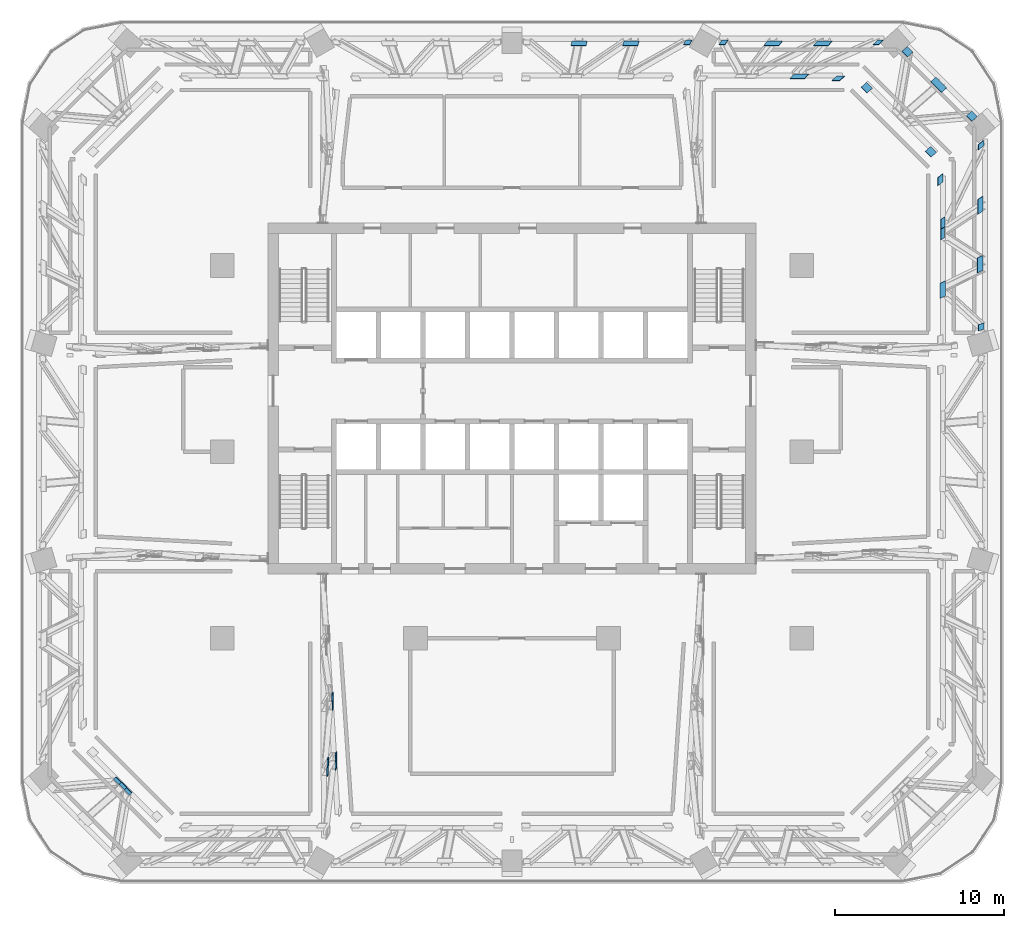
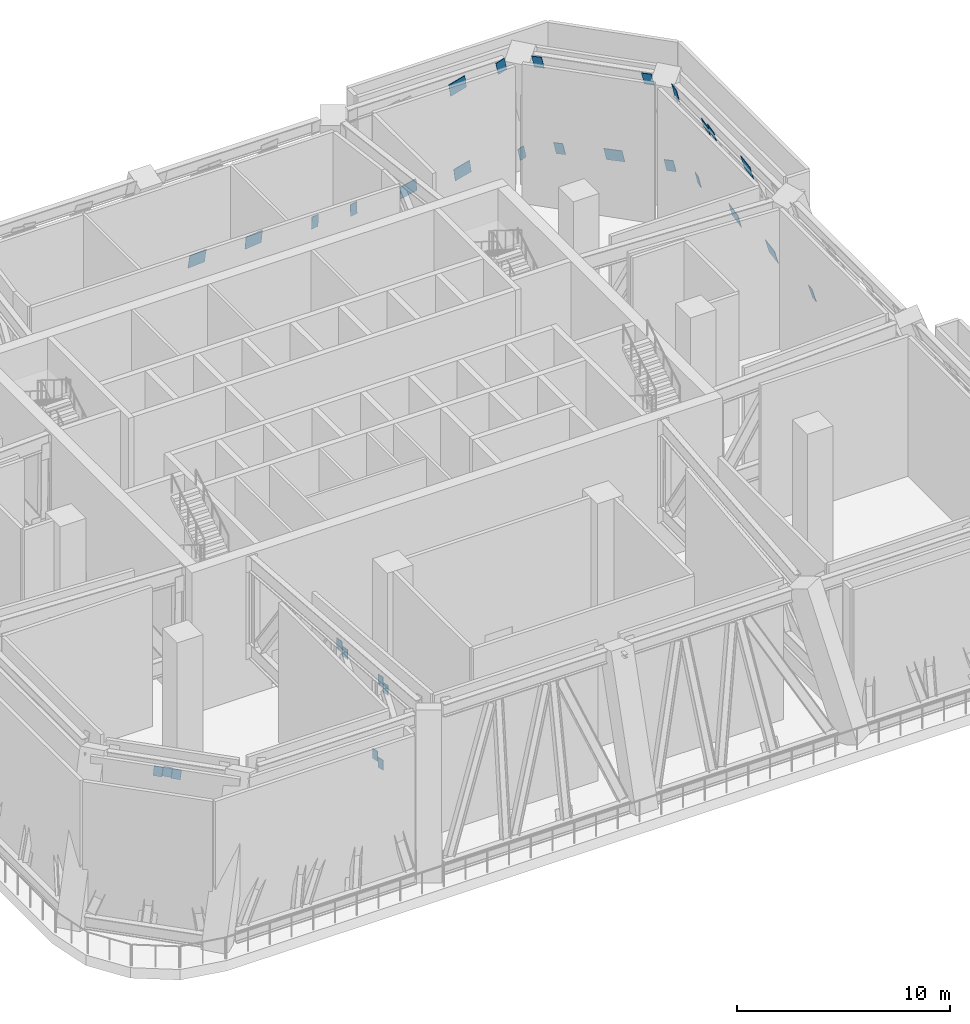
# One storey, part 13 of 24: 31 discrete accessories.
"""IFC4 building model written with IfcOpenShell, lengths in metres."""

from ifc_helpers import new_model, si_unit, direction, frame, origin, origin_2d, place, context, subcontext, project, spatial, rectangle, extrude, material, layer, layer_set, type_object, element, save


model = new_model("IFC4")

# Units and contexts
model_context = context("Model", 3, precision=1e-05, world=origin(), true_north=direction((0.0, 1.0)))
body_context = subcontext(model_context, "Body", "Model", "MODEL_VIEW")
ifc_project = project(units=[si_unit("LENGTHUNIT", "METRE"), si_unit("AREAUNIT", "SQUARE_METRE"), si_unit("VOLUMEUNIT", "CUBIC_METRE"), si_unit("PLANEANGLEUNIT", "RADIAN"), si_unit("MASSUNIT", "GRAM", prefix="KILO")], contexts=[model_context])

# Site, building, storey
site_placement = place(None, origin())
site = spatial("IfcSite", under=ifc_project, at=site_placement, CompositionType="ELEMENT")
building_placement = place(site_placement, origin())
building = spatial("IfcBuilding", under=site, at=building_placement, Name="Mopane Tessera Tower", CompositionType="ELEMENT")
storey_placement = place(building_placement, frame((0.0, 0.0, 148.60009765625)))
storey = spatial("IfcBuildingStorey", under=building, at=storey_placement, Name="L30", CompositionType="ELEMENT", Elevation=148.60009765625)

# Discrete accessories
ifc_material = material(Name="Structural steel S460", Category="steel")
ifc_layer = layer(ifc_material, 0.030029296875)
ifc_layer_set = layer_set([ifc_layer], Name="Structural steel S460")
discrete_accessory_type = type_object("IfcDiscreteAccessoryType", Name="Truss node plate 30 mm", PredefinedType="BRACKET", material=ifc_layer_set)
discrete_accessory_1_placement = place(storey_placement, frame((-10.61669921875, -14.520751953125, 6.842529296875), z_axis=(0.079880406721, 0.140764863064, 0.986815268401), x_axis=(0.996783717559, -0.004894495338, -0.079989151297)))
element("IfcDiscreteAccessory", 1, at=discrete_accessory_1_placement, inside=storey, type_object=discrete_accessory_type, Name="Truss node plate s ot L30 S1 9", PredefinedType="BRACKET", context=body_context, shape_type="SweptSolid", body=[
    extrude(rectangle(XDim=0.030029296875, YDim=0.49462890625, at=origin_2d()), origin(), (0.0, 0.0, 1.0), 0.501220703125),
])
discrete_accessory_2_placement = place(storey_placement, frame((-10.60791015625, -15.013671875, 6.663330078125), z_axis=(0.085575129762, 0.149270254756, 0.985086436924), x_axis=(0.996329516286, -0.010741104273, -0.084924223028)))
element("IfcDiscreteAccessory", 2, at=discrete_accessory_2_placement, inside=storey, type_object=discrete_accessory_type, Name="Truss node plate s ot L30 S1 10", PredefinedType="BRACKET", context=body_context, shape_type="SweptSolid", body=[
    extrude(rectangle(XDim=0.030029296875, YDim=0.49462890625, at=origin_2d()), origin(), (0.0, 0.0, 1.0), 0.502197265625),
])
discrete_accessory_3_placement = place(storey_placement, frame((-10.905517578125, -18.383544921875, 2.94189453125), z_axis=(0.112474616524, 0.197551570048, 0.973818688365), x_axis=(0.993641929576, -0.017412294739, -0.111231864947)))
element("IfcDiscreteAccessory", 3, at=discrete_accessory_3_placement, inside=storey, type_object=discrete_accessory_type, Name="Truss node plate s ot L30 S1 11", PredefinedType="BRACKET", context=body_context, shape_type="SweptSolid", body=[
    extrude(rectangle(XDim=0.030029296875, YDim=0.49462890625, at=origin_2d()), origin(), (0.0, 0.0, 1.0), 0.5078125),
])
discrete_accessory_4_placement = place(storey_placement, frame((-10.9228515625, -18.922607421875, 2.7626953125), z_axis=(0.11754025734, 0.205815389383, 0.971506208625), x_axis=(0.993061140405, -0.020692884635, -0.115764312045)))
element("IfcDiscreteAccessory", 4, at=discrete_accessory_4_placement, inside=storey, type_object=discrete_accessory_type, Name="Truss node plate s ot L30 S1 12", PredefinedType="BRACKET", context=body_context, shape_type="SweptSolid", body=[
    extrude(rectangle(XDim=0.030029296875, YDim=0.49462890625, at=origin_2d()), origin(), (0.0, 0.0, 1.0), 0.5087890625),
])
discrete_accessory_5_placement = place(storey_placement, frame((-10.4296875, -18.057373046875, 6.8486328125), z_axis=(0.117501009748, 0.205995494077, 0.971472783524), x_axis=(0.993063684384, -0.020190334038, -0.115831209821)))
element("IfcDiscreteAccessory", 5, at=discrete_accessory_5_placement, inside=storey, type_object=discrete_accessory_type, Name="Truss node plate s ot L30 S1 13", PredefinedType="BRACKET", context=body_context, shape_type="SweptSolid", body=[
    extrude(rectangle(XDim=0.030029296875, YDim=0.482421875, at=origin_2d()), origin(), (0.0, 0.0, 1.0), 0.49658203125),
])
discrete_accessory_6_placement = place(storey_placement, frame((-10.429931640625, -18.554443359375, 6.65478515625), z_axis=(0.1216479279, 0.213864905501, 0.96925929649), x_axis=(0.992558776145, -0.020925505844, -0.119954987822)))
element("IfcDiscreteAccessory", 6, at=discrete_accessory_6_placement, inside=storey, type_object=discrete_accessory_type, Name="Truss node plate s ot L30 S1 14", PredefinedType="BRACKET", context=body_context, shape_type="SweptSolid", body=[
    extrude(rectangle(XDim=0.030029296875, YDim=0.482421875, at=origin_2d()), origin(), (0.0, 0.0, 1.0), 0.497802734375),
])
discrete_accessory_7_placement = place(storey_placement, frame((27.841552734375, 7.431640625, 0.12255859375), z_axis=(-0.319540928292, -0.107024499564, 0.94150908208), x_axis=(-0.947572473766, 0.036042717955, -0.317501699907)))
element("IfcDiscreteAccessory", 7, at=discrete_accessory_7_placement, inside=storey, type_object=discrete_accessory_type, Name="Truss node plate s bt L30 E2-E3 0", PredefinedType="BRACKET", context=body_context, shape_type="SweptSolid", body=[
    extrude(rectangle(XDim=0.030029296875, YDim=0.3642578125, at=origin_2d()), origin(), (0.0, 0.0, 1.0), 0.955810546875),
])
discrete_accessory_8_placement = place(storey_placement, frame((25.576416015625, 9.65185546875, 6.79833984375), z_axis=(-0.317561452617, -0.153830727646, 0.93567667014), x_axis=(-0.948237693548, 0.051498010774, -0.313357992431)))
element("IfcDiscreteAccessory", 8, at=discrete_accessory_8_placement, inside=storey, type_object=discrete_accessory_type, Name="Truss node plate s bt L30 E2-E3 2", PredefinedType="BRACKET", context=body_context, shape_type="SweptSolid", body=[
    extrude(rectangle(XDim=0.030029296875, YDim=0.89990234375, at=origin_2d()), origin(), (0.0, 0.0, 1.0), 0.961669921875),
])
discrete_accessory_9_placement = place(storey_placement, frame((27.781982421875, 11.15625, 0.297607421875), z_axis=(-0.317170330927, -0.159979599373, 0.934777785874), x_axis=(-0.948368560453, 0.053260095985, -0.312666652715)))
element("IfcDiscreteAccessory", 9, at=discrete_accessory_9_placement, inside=storey, type_object=discrete_accessory_type, Name="Truss node plate s bt L30 E2-E3 3", PredefinedType="BRACKET", context=body_context, shape_type="SweptSolid", body=[
    extrude(rectangle(XDim=0.030029296875, YDim=0.89990234375, at=origin_2d()), origin(), (0.0, 0.0, 1.0), 0.962890625),
])
discrete_accessory_10_placement = place(storey_placement, frame((25.53125, 12.963134765625, 6.930908203125), z_axis=(-0.314260884105, -0.205044657567, 0.926928683948), x_axis=(-0.949336635255, 0.067647103242, -0.306893829175)))
element("IfcDiscreteAccessory", 10, at=discrete_accessory_10_placement, inside=storey, type_object=discrete_accessory_type, Name="Truss node plate s bt L30 E2-E3 4", PredefinedType="BRACKET", context=body_context, shape_type="SweptSolid", body=[
    extrude(rectangle(XDim=0.030029296875, YDim=0.642333984375, at=origin_2d()), origin(), (0.0, 0.0, 1.0), 0.69287109375),
])
discrete_accessory_11_placement = place(storey_placement, frame((27.792724609375, 14.656982421875, 0.265869140625), z_axis=(-0.314053965883, -0.208029347001, 0.926333577768), x_axis=(-0.949405101848, 0.068564244617, -0.306478216102)))
element("IfcDiscreteAccessory", 11, at=discrete_accessory_11_placement, inside=storey, type_object=discrete_accessory_type, Name="Truss node plate s bt L30 E2-E3 5", PredefinedType="BRACKET", context=body_context, shape_type="SweptSolid", body=[
    extrude(rectangle(XDim=0.030029296875, YDim=0.89990234375, at=origin_2d()), origin(), (0.0, 0.0, 1.0), 0.9716796875),
])
discrete_accessory_12_placement = place(storey_placement, frame((25.544677734375, 13.55859375, 6.8916015625), z_axis=(-0.313976168825, -0.213771008561, 0.925051847903), x_axis=(-0.949430737568, 0.071196634896, -0.305797831483)))
element("IfcDiscreteAccessory", 12, at=discrete_accessory_12_placement, inside=storey, type_object=discrete_accessory_type, Name="Truss node plate s bt L30 E2-E3 6", PredefinedType="BRACKET", context=body_context, shape_type="SweptSolid", body=[
    extrude(rectangle(XDim=0.030029296875, YDim=0.642333984375, at=origin_2d()), origin(), (0.0, 0.0, 1.0), 0.6943359375),
])
discrete_accessory_13_placement = place(storey_placement, frame((25.44287109375, 16.19775390625, 7.19189453125), z_axis=(-0.310811789295, -0.254413487001, 0.915789172936), x_axis=(-0.950471475505, 0.083117476253, -0.299492002217)))
element("IfcDiscreteAccessory", 13, at=discrete_accessory_13_placement, inside=storey, type_object=discrete_accessory_type, Name="Truss node plate s bt L30 E2-E3 7", PredefinedType="BRACKET", context=body_context, shape_type="SweptSolid", body=[
    extrude(rectangle(XDim=0.030029296875, YDim=0.489990234375, at=origin_2d()), origin(), (0.0, 0.0, 1.0), 0.982666015625),
])
discrete_accessory_14_placement = place(storey_placement, frame((27.841552734375, 18.240478515625, 0.12255859375), z_axis=(-0.310733081057, -0.255342611772, 0.915557263611), x_axis=(-0.950497199021, 0.083642165003, -0.299264202483)))
element("IfcDiscreteAccessory", 14, at=discrete_accessory_14_placement, inside=storey, type_object=discrete_accessory_type, Name="Truss node plate s bt L30 E2-E3 8", PredefinedType="BRACKET", context=body_context, shape_type="SweptSolid", body=[
    extrude(rectangle(XDim=0.030029296875, YDim=0.331298828125, at=origin_2d()), origin(), (0.0, 0.0, 1.0), 0.98291015625),
])
discrete_accessory_15_placement = place(storey_placement, frame((27.2958984375, 19.948486328125, 0.10888671875), z_axis=(-0.309337061572, -0.271257199476, 0.911443971986), x_axis=(-0.636313992787, -0.653224784624, -0.410367985271)))
element("IfcDiscreteAccessory", 15, at=discrete_accessory_15_placement, inside=storey, type_object=discrete_accessory_type, Name="Truss node plate s bt L30 E3-N0 0", PredefinedType="BRACKET", context=body_context, shape_type="SweptSolid", body=[
    extrude(rectangle(XDim=0.030029296875, YDim=0.462890625, at=origin_2d()), origin(), (0.0, 0.0, 1.0), 0.9873046875),
])
discrete_accessory_16_placement = place(storey_placement, frame((24.883056640625, 17.85009765625, 7.19189453125), z_axis=(-0.309337061572, -0.271257199476, 0.911443971986), x_axis=(-0.636313992787, -0.653224784624, -0.410367985271)))
element("IfcDiscreteAccessory", 16, at=discrete_accessory_16_placement, inside=storey, type_object=discrete_accessory_type, Name="Truss node plate s bt L30 E3-N0 1", PredefinedType="BRACKET", context=body_context, shape_type="SweptSolid", body=[
    extrude(rectangle(XDim=0.030029296875, YDim=0.489990234375, at=origin_2d()), origin(), (0.0, 0.0, 1.0), 0.9873046875),
])
discrete_accessory_17_placement = place(storey_placement, frame((25.341796875, 21.802734375, 0.265869140625), z_axis=(-0.30926735902, -0.271196077414, 0.911485813515), x_axis=(-0.636345371366, -0.653252300453, -0.410275517542)))
element("IfcDiscreteAccessory", 17, at=discrete_accessory_17_placement, inside=storey, type_object=discrete_accessory_type, Name="Truss node plate s bt L30 E3-N0 3", PredefinedType="BRACKET", context=body_context, shape_type="SweptSolid", body=[
    extrude(rectangle(XDim=0.030029296875, YDim=0.89990234375, at=origin_2d()), origin(), (0.0, 0.0, 1.0), 0.987548828125),
])
discrete_accessory_18_placement = place(storey_placement, frame((23.494140625, 23.75048828125, 0.10888671875), z_axis=(-0.309337061572, -0.271257199476, 0.911443971986), x_axis=(-0.636313992787, -0.653224784624, -0.410367985271)))
element("IfcDiscreteAccessory", 18, at=discrete_accessory_18_placement, inside=storey, type_object=discrete_accessory_type, Name="Truss node plate s bt L30 E3-N0 6", PredefinedType="BRACKET", context=body_context, shape_type="SweptSolid", body=[
    extrude(rectangle(XDim=0.030029296875, YDim=0.462890625, at=origin_2d()), origin(), (0.0, 0.0, 1.0), 0.9873046875),
])
discrete_accessory_19_placement = place(storey_placement, frame((21.100341796875, 21.6328125, 7.19189453125), z_axis=(-0.309337061572, -0.271257199476, 0.911443971986), x_axis=(-0.636313992787, -0.653224784624, -0.410367985271)))
element("IfcDiscreteAccessory", 19, at=discrete_accessory_19_placement, inside=storey, type_object=discrete_accessory_type, Name="Truss node plate s bt L30 E3-N0 7", PredefinedType="BRACKET", context=body_context, shape_type="SweptSolid", body=[
    extrude(rectangle(XDim=0.030029296875, YDim=0.489990234375, at=origin_2d()), origin(), (0.0, 0.0, 1.0), 0.9873046875),
])
discrete_accessory_20_placement = place(storey_placement, frame((21.758544921875, 24.29931640625, 0.11328125), z_axis=(-0.294014065287, -0.272640261725, 0.916091162003), x_axis=(0.083106720852, -0.962116023558, -0.259665227096)))
element("IfcDiscreteAccessory", 20, at=discrete_accessory_20_placement, inside=storey, type_object=discrete_accessory_type, Name="Truss node plate s bt L30 N0-N1 0", PredefinedType="BRACKET", context=body_context, shape_type="SweptSolid", body=[
    extrude(rectangle(XDim=0.030029296875, YDim=0.343017578125, at=origin_2d()), origin(), (0.0, 0.0, 1.0), 0.982421875),
])
discrete_accessory_21_placement = place(storey_placement, frame((19.42138671875, 22.192626953125, 7.19189453125), z_axis=(-0.292858334789, -0.272969823089, 0.916363176599), x_axis=(0.083711922365, -0.962022395971, -0.259817673964)))
element("IfcDiscreteAccessory", 21, at=discrete_accessory_21_placement, inside=storey, type_object=discrete_accessory_type, Name="Truss node plate s bt L30 N0-N1 1", PredefinedType="BRACKET", context=body_context, shape_type="SweptSolid", body=[
    extrude(rectangle(XDim=0.030029296875, YDim=0.489990234375, at=origin_2d()), origin(), (0.0, 0.0, 1.0), 0.98193359375),
])
discrete_accessory_22_placement = place(storey_placement, frame((17.10009765625, 22.306884765625, 6.8076171875), z_axis=(-0.258942538481, -0.275518879451, 0.92576352749), x_axis=(0.074260764789, -0.961295659552, -0.265322433541)))
element("IfcDiscreteAccessory", 22, at=discrete_accessory_22_placement, inside=storey, type_object=discrete_accessory_type, Name="Truss node plate s bt L30 N0-N1 2", PredefinedType="BRACKET", context=body_context, shape_type="SweptSolid", body=[
    extrude(rectangle(XDim=0.030029296875, YDim=0.89990234375, at=origin_2d()), origin(), (0.0, 0.0, 1.0), 0.97216796875),
])
discrete_accessory_23_placement = place(storey_placement, frame((18.477783203125, 24.2470703125, 0.288330078125), z_axis=(-0.253305849021, -0.275944902061, 0.927194994528), x_axis=(0.072611944021, -0.961173448968, -0.266220034153)))
element("IfcDiscreteAccessory", 23, at=discrete_accessory_23_placement, inside=storey, type_object=discrete_accessory_type, Name="Truss node plate s bt L30 N0-N1 3", PredefinedType="BRACKET", context=body_context, shape_type="SweptSolid", body=[
    extrude(rectangle(XDim=0.030029296875, YDim=0.89990234375, at=origin_2d()), origin(), (0.0, 0.0, 1.0), 0.970458984375),
])
discrete_accessory_24_placement = place(storey_placement, frame((15.52978515625, 24.25390625, 0.265869140625), z_axis=(-0.214793508031, -0.278520659941, 0.936103621879), x_axis=(0.062212364105, -0.960430234975, -0.27148367446)))
element("IfcDiscreteAccessory", 24, at=discrete_accessory_24_placement, inside=storey, type_object=discrete_accessory_type, Name="Truss node plate s bt L30 N0-N1 5", PredefinedType="BRACKET", context=body_context, shape_type="SweptSolid", body=[
    extrude(rectangle(XDim=0.030029296875, YDim=0.89990234375, at=origin_2d()), origin(), (0.0, 0.0, 1.0), 0.961669921875),
])
discrete_accessory_25_placement = place(storey_placement, frame((12.5673828125, 24.29931640625, 0.11328125), z_axis=(-0.174861150859, -0.280853122243, 0.943686972278), x_axis=(0.05111114351, -0.959750759543, -0.276163231742)))
element("IfcDiscreteAccessory", 25, at=discrete_accessory_25_placement, inside=storey, type_object=discrete_accessory_type, Name="Truss node plate s bt L30 N0-N1 8", PredefinedType="BRACKET", context=body_context, shape_type="SweptSolid", body=[
    extrude(rectangle(XDim=0.030029296875, YDim=0.36474609375, at=origin_2d()), origin(), (0.0, 0.0, 1.0), 0.95361328125),
])
discrete_accessory_26_placement = place(storey_placement, frame((10.44482421875, 24.298583984375, 0.11572265625), z_axis=(-0.145857698787, -0.282197346683, 0.948203664425), x_axis=(0.043341002099, -0.959356283123, -0.278849564405)))
element("IfcDiscreteAccessory", 26, at=discrete_accessory_26_placement, inside=storey, type_object=discrete_accessory_type, Name="Truss node plate s bt L30 N1-N2 0", PredefinedType="BRACKET", context=body_context, shape_type="SweptSolid", body=[
    extrude(rectangle(XDim=0.030029296875, YDim=0.3623046875, at=origin_2d()), origin(), (0.0, 0.0, 1.0), 0.948974609375),
])
discrete_accessory_27_placement = place(storey_placement, frame((7.07080078125, 24.24658203125, 0.290771484375), z_axis=(-0.099604567411, -0.284067051992, 0.953616715522), x_axis=(0.02997540568, -0.958804312008, -0.282481444221)))
element("IfcDiscreteAccessory", 27, at=discrete_accessory_27_placement, inside=storey, type_object=discrete_accessory_type, Name="Truss node plate s bt L30 N1-N2 3", PredefinedType="BRACKET", context=body_context, shape_type="SweptSolid", body=[
    extrude(rectangle(XDim=0.030029296875, YDim=0.89990234375, at=origin_2d()), origin(), (0.0, 0.0, 1.0), 0.943603515625),
])
discrete_accessory_28_placement = place(storey_placement, frame((3.984619140625, 24.25390625, 0.265869140625), z_axis=(-0.05632191717, -0.284724161914, 0.956953495876), x_axis=(0.016739253774, -0.95860948854, -0.284231676392)))
element("IfcDiscreteAccessory", 28, at=discrete_accessory_28_placement, inside=storey, type_object=discrete_accessory_type, Name="Truss node plate s bt L30 N1-N2 5", PredefinedType="BRACKET", context=body_context, shape_type="SweptSolid", body=[
    extrude(rectangle(XDim=0.030029296875, YDim=0.89990234375, at=origin_2d()), origin(), (0.0, 0.0, 1.0), 0.940673828125),
])
for number, where, z_axis, x_axis, name in (
    (29, (-23.366455078125, -19.4755859375, 7.02099609375), (0.309393348836, 0.271290719669, 0.911414889673), (0.636311085764, 0.653187245506, -0.410432240987), "Truss node plate s bt L30 W3-S0 2"),
    (30, (-23.034912109375, -19.779296875, 7.06494140625), (0.309393348836, 0.271290719669, 0.911414889673), (0.636311085764, 0.653187245506, -0.410432240987), "Truss node plate s bt L30 W3-S0 4"),
    (31, (-22.73291015625, -20.109130859375, 7.02099609375), (0.309393348836, 0.271290719669, 0.911414889673), (0.636311085764, 0.653187245506, -0.410432240987), "Truss node plate s bt L30 W3-S0 5"),
):
    element("IfcDiscreteAccessory", number, at=place(storey_placement, frame(where, z_axis=z_axis, x_axis=x_axis)), inside=storey, type_object=discrete_accessory_type, Name=name, PredefinedType="BRACKET", context=body_context, shape_type="SweptSolid", body=[
        extrude(rectangle(XDim=0.030029296875, YDim=0.43798828125, at=origin_2d()), origin(), (0.0, 0.0, 1.0), 0.48046875),
    ])

save(model, "model.ifc")
